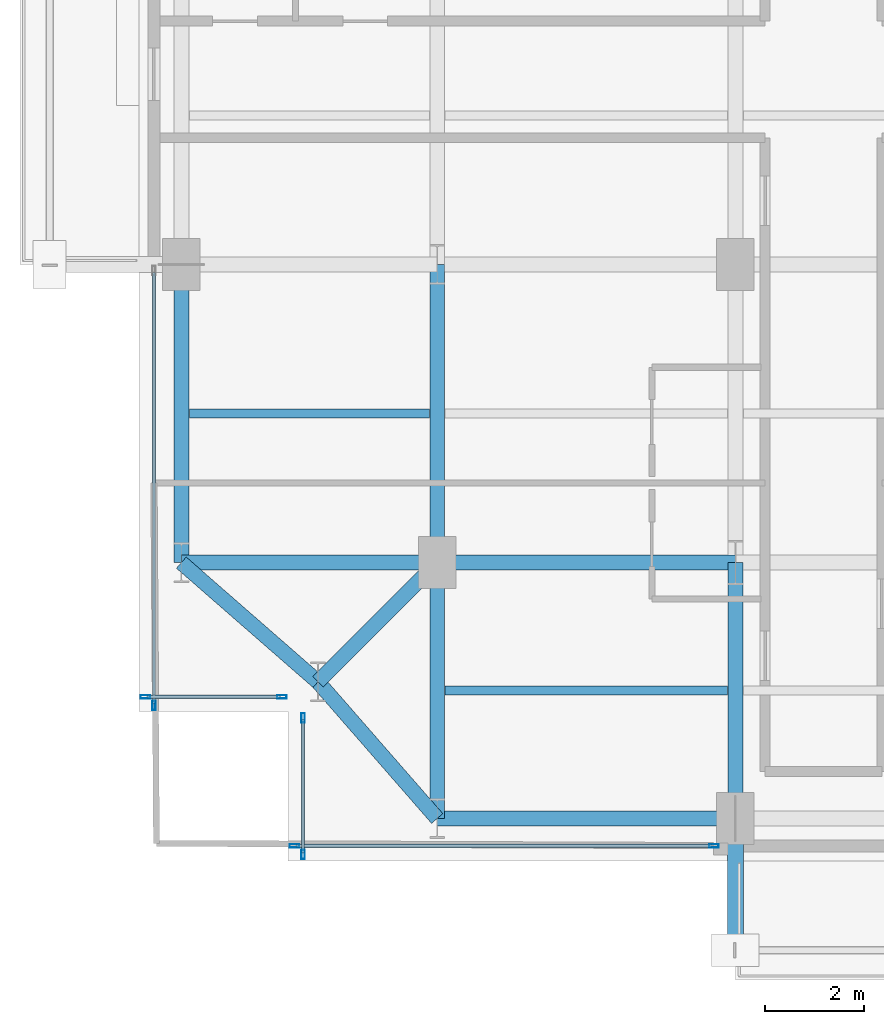
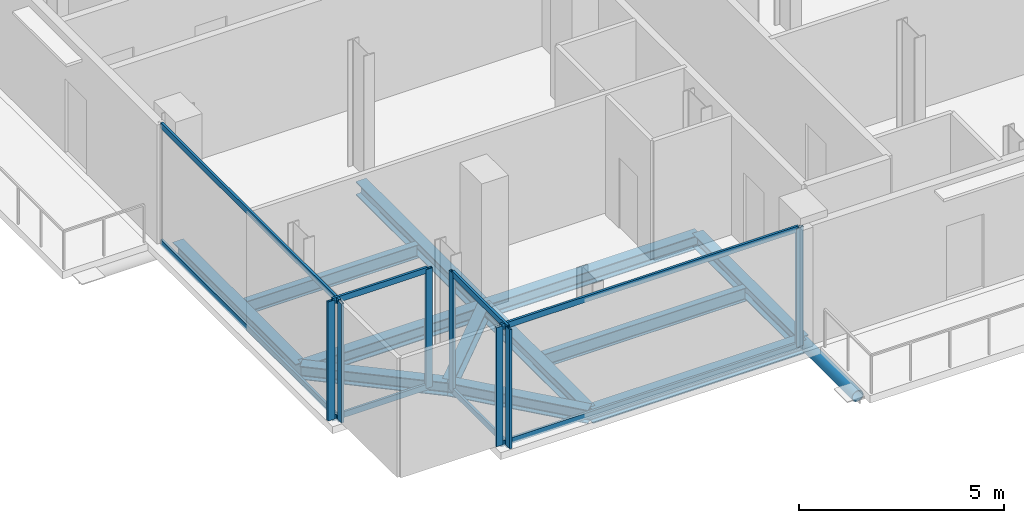
# One storey, part 2 of 21: 16 members, 12 beams, 4 elements without a shape of their own.
"""IFC4 building model written with IfcOpenShell, lengths in metres."""

from ifc_helpers import new_model, si_unit, direction, frame, origin, origin_2d, place, context, subcontext, project, spatial, hollow_rectangle, hollow_circle, i_section, extrude, material, layer, layer_set, material_profile, profile_set, type_object, element, aggregate, save


model = new_model("IFC4")

# Units and contexts
model_context = context("Model", 3, precision=1e-05, world=origin(), true_north=direction((0.0, 1.0)))
body_context = subcontext(model_context, "Body", "Model", "MODEL_VIEW")
ifc_project = project(units=[si_unit("LENGTHUNIT", "METRE"), si_unit("AREAUNIT", "SQUARE_METRE"), si_unit("VOLUMEUNIT", "CUBIC_METRE"), si_unit("PLANEANGLEUNIT", "RADIAN"), si_unit("MASSUNIT", "GRAM", prefix="KILO"), si_unit("THERMODYNAMICTEMPERATUREUNIT", "KELVIN"), si_unit("POWERUNIT", "WATT")], contexts=[model_context])

# Site, building, storey
site_placement = place(None, origin())
site = spatial("IfcSite", under=ifc_project, at=site_placement, CompositionType="ELEMENT")
building_placement = place(site_placement, origin())
building = spatial("IfcBuilding", under=site, at=building_placement, Name="Svarakhadi Broadcast Tower", CompositionType="ELEMENT")
storey_placement = place(building_placement, frame((0.0, 0.0, 208.64990234375)))
storey = spatial("IfcBuildingStorey", under=building, at=storey_placement, Name="L51", CompositionType="ELEMENT", Elevation=208.64990234375)

# Beams
ifc_material_1 = material(Name="Steel S355J2 (IS 2062 E350C)", Category="steel")
ifc_material_profile_1 = material_profile(ifc_material_1, i_section(OverallWidth=0.179931640625, OverallDepth=0.39990234375, WebThickness=0.008544921875, FlangeThickness=0.013427734375, FilletRadius=0.02099609375, at=origin_2d()), Name="NPB 400x180x66")
ifc_profile_set_1 = profile_set([ifc_material_profile_1], Name="Steel S355J2 (IS 2062 E350C)")
beam_type_1 = type_object("IfcBeamType", Name="Beam_NPB400", PredefinedType="BEAM", material=ifc_profile_set_1)
beam_1_placement = place(storey_placement, frame((1.010009765625, 9.0, -0.409912109375), z_axis=(1.0, 0.0, 0.0), x_axis=(0.0, 1.0, 0.0)))
element("IfcBeam", 1, at=beam_1_placement, inside=storey, type_object=beam_type_1, Name="L51 Secondary Composite Beam SB001", PredefinedType="BEAM", context=body_context, shape_type="SweptSolid", body=[
    extrude(i_section(OverallWidth=0.179931640625, OverallDepth=0.39990234375, WebThickness=0.008544921875, FlangeThickness=0.013427734375, FilletRadius=0.02099609375, at=origin_2d()), origin(), (0.0, 0.0, 1.0), 4.830078125),
])
beam_2_placement = place(storey_placement, frame((6.159912109375, 3.425048828125, -0.409912109375), z_axis=(1.0, 0.0, 0.0), x_axis=(0.0, 1.0, 0.0)))
element("IfcBeam", 2, at=beam_2_placement, inside=storey, type_object=beam_type_1, Name="L51 Secondary Composite Beam SB005", PredefinedType="BEAM", context=body_context, shape_type="SweptSolid", body=[
    extrude(i_section(OverallWidth=0.179931640625, OverallDepth=0.39990234375, WebThickness=0.008544921875, FlangeThickness=0.013427734375, FilletRadius=0.02099609375, at=origin_2d()), origin(), (0.0, 0.0, 1.0), 5.68017578125),
])

# Curtain wall, members
ifc_material_2 = material(Name="Anodised Bronze Aluminium AA 6063-T6", Category="aluminium")
ifc_layer = layer(ifc_material_2, 0.18994140625)
ifc_layer_set = layer_set([ifc_layer], Name="Anodised Bronze Aluminium AA 6063-T6")
curtain_wall_type = type_object("IfcCurtainWallType", Name="CW_Sys_04", PredefinedType="NOTDEFINED", material=ifc_layer_set)
curtain_wall_1_placement = place(storey_placement, origin())
curtain_wall_1 = element("IfcCurtainWall", 3, at=curtain_wall_1_placement, inside=storey, type_object=curtain_wall_type, Name="L51 Unitised Facade Curtain Wall 01", PredefinedType="NOTDEFINED")
ifc_material_profile_2 = material_profile(ifc_material_2, hollow_rectangle(XDim=0.070068359375, YDim=0.18994140625, WallThickness=0.005615234375, at=origin_2d()), Name="ALU MULLION 190x70x6")
ifc_profile_set_2 = profile_set([ifc_material_profile_2], Name="Anodised Bronze Aluminium AA 6063-T6")
member_type_1 = type_object("IfcMemberType", Name="CW_Sys_04_Mul", PredefinedType="MULLION", material=ifc_profile_set_2)
member_1_placement = place(storey_placement, frame((2.875, 3.300048828125, 0.0), z_axis=(0.0, 0.0, 1.0), x_axis=(0.0, -1.0, 0.0)))
member_1 = element("IfcMember", 4, at=member_1_placement, type_object=member_type_1, Name="CW-04 mullion 1", PredefinedType="MULLION", context=body_context, shape_type="SweptSolid", body=[
    extrude(hollow_rectangle(XDim=0.070068359375, YDim=0.18994140625, WallThickness=0.005615234375, at=origin_2d()), origin(), (0.0, 0.0, 1.0), 3.5400390625),
])
member_2_placement = place(storey_placement, frame((0.125, 3.300048828125, 0.0), z_axis=(0.0, 0.0, 1.0), x_axis=(0.0, -1.0, 0.0)))
member_2 = element("IfcMember", 5, at=member_2_placement, type_object=member_type_1, Name="CW-04 mullion 2", PredefinedType="MULLION", context=body_context, shape_type="SweptSolid", body=[
    extrude(hollow_rectangle(XDim=0.070068359375, YDim=0.18994140625, WallThickness=0.005615234375, at=origin_2d()), origin(), (0.0, 0.0, 1.0), 3.5400390625),
])

# Curtain wall, member
curtain_wall_2_placement = place(storey_placement, origin())
curtain_wall_2 = element("IfcCurtainWall", 6, at=curtain_wall_2_placement, inside=storey, type_object=curtain_wall_type, Name="L51 West Curtain Wall 02", PredefinedType="NOTDEFINED")
member_3_placement = place(storey_placement, frame((0.300048828125, 3.125, 0.0), z_axis=(0.0, 0.0, 1.0), x_axis=(-1.0, 0.0, 0.0)))
member_3 = element("IfcMember", 7, at=member_3_placement, type_object=member_type_1, Name="CW-04 mullion 1", PredefinedType="MULLION", context=body_context, shape_type="SweptSolid", body=[
    extrude(hollow_rectangle(XDim=0.070068359375, YDim=0.18994140625, WallThickness=0.005615234375, at=origin_2d()), origin(), (0.0, 0.0, 1.0), 3.5400390625),
])

# Curtain wall, members
curtain_wall_3_placement = place(storey_placement, origin())
curtain_wall_3 = element("IfcCurtainWall", 8, at=curtain_wall_3_placement, inside=storey, type_object=curtain_wall_type, Name="L51 South Curtain Wall 17", PredefinedType="NOTDEFINED")
member_4_placement = place(storey_placement, frame((11.570068359375, 0.300048828125, 0.0), z_axis=(0.0, 0.0, 1.0), x_axis=(0.0, -1.0, 0.0)))
member_4 = element("IfcMember", 9, at=member_4_placement, type_object=member_type_1, Name="CW-04 mullion 1", PredefinedType="MULLION", context=body_context, shape_type="SweptSolid", body=[
    extrude(hollow_rectangle(XDim=0.070068359375, YDim=0.18994140625, WallThickness=0.005615234375, at=origin_2d()), origin(), (0.0, 0.0, 1.0), 3.5400390625),
])
member_5_placement = place(storey_placement, frame((3.125, 0.300048828125, 0.0), z_axis=(0.0, 0.0, 1.0), x_axis=(0.0, -1.0, 0.0)))
member_5 = element("IfcMember", 10, at=member_5_placement, type_object=member_type_1, Name="CW-04 mullion 2", PredefinedType="MULLION", context=body_context, shape_type="SweptSolid", body=[
    extrude(hollow_rectangle(XDim=0.070068359375, YDim=0.18994140625, WallThickness=0.005615234375, at=origin_2d()), origin(), (0.0, 0.0, 1.0), 3.5400390625),
])

curtain_wall_4_placement = place(storey_placement, origin())
curtain_wall_4 = element("IfcCurtainWall", 11, at=curtain_wall_4_placement, inside=storey, type_object=curtain_wall_type, Name="L51 Unitised Facade Curtain Wall 18", PredefinedType="NOTDEFINED")
member_6_placement = place(storey_placement, frame((3.300048828125, 0.125, 0.0), z_axis=(0.0, 0.0, 1.0), x_axis=(-1.0, 0.0, 0.0)))
member_6 = element("IfcMember", 12, at=member_6_placement, type_object=member_type_1, Name="CW-04 mullion 1", PredefinedType="MULLION", context=body_context, shape_type="SweptSolid", body=[
    extrude(hollow_rectangle(XDim=0.070068359375, YDim=0.18994140625, WallThickness=0.005615234375, at=origin_2d()), origin(), (0.0, 0.0, 1.0), 3.5400390625),
])
member_7_placement = place(storey_placement, frame((3.300048828125, 2.875, 0.0), z_axis=(0.0, 0.0, 1.0), x_axis=(-1.0, 0.0, 0.0)))
member_7 = element("IfcMember", 13, at=member_7_placement, type_object=member_type_1, Name="CW-04 mullion 2", PredefinedType="MULLION", context=body_context, shape_type="SweptSolid", body=[
    extrude(hollow_rectangle(XDim=0.070068359375, YDim=0.18994140625, WallThickness=0.005615234375, at=origin_2d()), origin(), (0.0, 0.0, 1.0), 3.5400390625),
])

# Member
ifc_material_profile_3 = material_profile(ifc_material_2, hollow_rectangle(XDim=0.06494140625, YDim=0.175048828125, WallThickness=0.0048828125, at=origin_2d()), Name="ALU TRANSOM 175x65x5")
ifc_profile_set_3 = profile_set([ifc_material_profile_3], Name="Anodised Bronze Aluminium AA 6063-T6")
member_type_2 = type_object("IfcMemberType", Name="CW_Sys_04_Trn", PredefinedType="USERDEFINED", material=ifc_profile_set_3)
member_8_placement = place(storey_placement, frame((2.840087890625, 3.300048828125, 0.03271484375), z_axis=(-1.0, 0.0, 0.0), x_axis=(0.0, -1.0, 0.0)))
member_8 = element("IfcMember", 14, at=member_8_placement, type_object=member_type_2, Name="CW-04 transom 1.1", ObjectType="TRANSOM", PredefinedType="USERDEFINED", context=body_context, shape_type="SweptSolid", body=[
    extrude(hollow_rectangle(XDim=0.06494140625, YDim=0.175048828125, WallThickness=0.0048828125, at=origin_2d()), origin(), (0.0, 0.0, 1.0), 2.68017578125),
])

member_9_placement = place(storey_placement, frame((2.840087890625, 3.300048828125, 3.507568359375), z_axis=(-1.0, 0.0, 0.0), x_axis=(0.0, -1.0, 0.0)))
member_9 = element("IfcMember", 15, at=member_9_placement, type_object=member_type_2, Name="CW-04 transom 1.2", ObjectType="TRANSOM", PredefinedType="USERDEFINED", context=body_context, shape_type="SweptSolid", body=[
    extrude(hollow_rectangle(XDim=0.06494140625, YDim=0.175048828125, WallThickness=0.0048828125, at=origin_2d()), origin(), (0.0, 0.0, 1.0), 2.68017578125),
])

aggregate(curtain_wall_1, [member_1, member_2, member_8, member_9])

member_10_placement = place(storey_placement, frame((0.300048828125, 3.159912109375, 0.03271484375), z_axis=(0.0, 1.0, 0.0), x_axis=(-1.0, 0.0, 0.0)))
member_10 = element("IfcMember", 16, at=member_10_placement, type_object=member_type_2, Name="CW-04 transom 1.1", ObjectType="TRANSOM", PredefinedType="USERDEFINED", context=body_context, shape_type="SweptSolid", body=[
    extrude(hollow_rectangle(XDim=0.06494140625, YDim=0.175048828125, WallThickness=0.0048828125, at=origin_2d()), origin(), (0.0, 0.0, 1.0), 8.68017578125),
])

member_11_placement = place(storey_placement, frame((0.300048828125, 3.159912109375, 3.507568359375), z_axis=(0.0, 1.0, 0.0), x_axis=(-1.0, 0.0, 0.0)))
member_11 = element("IfcMember", 17, at=member_11_placement, type_object=member_type_2, Name="CW-04 transom 1.2", ObjectType="TRANSOM", PredefinedType="USERDEFINED", context=body_context, shape_type="SweptSolid", body=[
    extrude(hollow_rectangle(XDim=0.06494140625, YDim=0.175048828125, WallThickness=0.0048828125, at=origin_2d()), origin(), (0.0, 0.0, 1.0), 8.68017578125),
])

aggregate(curtain_wall_2, [member_3, member_10, member_11])

member_12_placement = place(storey_placement, frame((11.534912109375, 0.300048828125, 0.03271484375), z_axis=(-1.0, 0.0, 0.0), x_axis=(0.0, -1.0, 0.0)))
member_12 = element("IfcMember", 18, at=member_12_placement, type_object=member_type_2, Name="CW-04 transom 1.1", ObjectType="TRANSOM", PredefinedType="USERDEFINED", context=body_context, shape_type="SweptSolid", body=[
    extrude(hollow_rectangle(XDim=0.06494140625, YDim=0.175048828125, WallThickness=0.0048828125, at=origin_2d()), origin(), (0.0, 0.0, 1.0), 8.375),
])

member_13_placement = place(storey_placement, frame((11.534912109375, 0.300048828125, 3.507568359375), z_axis=(-1.0, 0.0, 0.0), x_axis=(0.0, -1.0, 0.0)))
member_13 = element("IfcMember", 19, at=member_13_placement, type_object=member_type_2, Name="CW-04 transom 1.2", ObjectType="TRANSOM", PredefinedType="USERDEFINED", context=body_context, shape_type="SweptSolid", body=[
    extrude(hollow_rectangle(XDim=0.06494140625, YDim=0.175048828125, WallThickness=0.0048828125, at=origin_2d()), origin(), (0.0, 0.0, 1.0), 8.375),
])

aggregate(curtain_wall_3, [member_4, member_5, member_12, member_13])

member_14_placement = place(storey_placement, frame((3.300048828125, 0.159912109375, 0.03271484375), z_axis=(0.0, 1.0, 0.0), x_axis=(-1.0, 0.0, 0.0)))
member_14 = element("IfcMember", 20, at=member_14_placement, type_object=member_type_2, Name="CW-04 transom 1.1", ObjectType="TRANSOM", PredefinedType="USERDEFINED", context=body_context, shape_type="SweptSolid", body=[
    extrude(hollow_rectangle(XDim=0.06494140625, YDim=0.175048828125, WallThickness=0.0048828125, at=origin_2d()), origin(), (0.0, 0.0, 1.0), 2.68017578125),
])

member_15_placement = place(storey_placement, frame((3.300048828125, 0.159912109375, 3.507568359375), z_axis=(0.0, 1.0, 0.0), x_axis=(-1.0, 0.0, 0.0)))
member_15 = element("IfcMember", 21, at=member_15_placement, type_object=member_type_2, Name="CW-04 transom 1.2", ObjectType="TRANSOM", PredefinedType="USERDEFINED", context=body_context, shape_type="SweptSolid", body=[
    extrude(hollow_rectangle(XDim=0.06494140625, YDim=0.175048828125, WallThickness=0.0048828125, at=origin_2d()), origin(), (0.0, 0.0, 1.0), 2.68017578125),
])

aggregate(curtain_wall_4, [member_6, member_7, member_14, member_15])

ifc_material_3 = material(Name="Steel S460ML (IS 2062 E450BR)", Category="steel")
ifc_material_profile_4 = material_profile(ifc_material_3, hollow_circle(Radius=0.161865234375, WallThickness=0.01611328125, at=origin_2d()), Name="CHS 323.9x16")
ifc_profile_set_4 = profile_set([ifc_material_profile_4], Name="Steel S460ML (IS 2062 E450BR)")
member_type_3 = type_object("IfcMemberType", Name="Exo_Radial_Strut_Z2", PredefinedType="STRUT", material=ifc_profile_set_4)
member_16_placement = place(storey_placement, frame((12.0, -1.800048828125, -0.371826171875), z_axis=(0.0, 1.0, 0.0), x_axis=(-1.0, 0.0, 0.0)))
element("IfcMember", 22, at=member_16_placement, inside=storey, type_object=member_type_3, Name="L51 Exoskeleton Radial Tie Strut S01", PredefinedType="STRUT", context=body_context, shape_type="SweptSolid", body=[
    extrude(hollow_circle(Radius=0.161865234375, WallThickness=0.01611328125, at=origin_2d()), origin(), (0.0, 0.0, 1.0), 2.650146484375),
])

# Beams
ifc_material_profile_5 = material_profile(ifc_material_1, i_section(OverallWidth=0.300048828125, OverallDepth=0.39990234375, WebThickness=0.013427734375, FlangeThickness=0.02392578125, FilletRadius=0.027099609375, at=origin_2d()), Name="WPB 400x300x155")
ifc_profile_set_5 = profile_set([ifc_material_profile_5], Name="Steel S355J2 (IS 2062 E350C)")
beam_type_2 = type_object("IfcBeamType", Name="Girder_WPB400", PredefinedType="USERDEFINED", material=ifc_profile_set_5)
beam_3_placement = place(storey_placement, frame((3.60009765625, 3.60009765625, -0.409912109375), z_axis=(0.707106781187, 0.707106781187, 0.0), x_axis=(-0.707106781187, 0.707106781187, 0.0)))
element("IfcBeam", 23, at=beam_3_placement, inside=storey, type_object=beam_type_2, Name="L51 Corner Tie Girder G001", ObjectType="GIRDER", PredefinedType="USERDEFINED", context=body_context, shape_type="SweptSolid", body=[
    extrude(i_section(OverallWidth=0.300048828125, OverallDepth=0.39990234375, WebThickness=0.013427734375, FlangeThickness=0.02392578125, FilletRadius=0.027099609375, at=origin_2d()), origin(), (0.0, 0.0, 1.0), 3.39404296875),
])
for number, where, z_axis, x_axis, name in (
    (24, (3.60009765625, 3.60009765625, -0.409912109375), (-0.753437912176, 0.657519058655, 0.0), (-0.657519058655, -0.753437912176, 0.0), "L51 Corner Tie Girder G002"),
    (25, (3.60009765625, 3.60009765625, -0.409912109375), (0.657519058655, -0.753437912176, 0.0), (0.753437912176, 0.657519058655, 0.0), "L51 Corner Tie Girder G003"),
):
    element("IfcBeam", number, at=place(storey_placement, frame(where, z_axis=z_axis, x_axis=x_axis)), inside=storey, type_object=beam_type_2, Name=name, ObjectType="GIRDER", PredefinedType="USERDEFINED", context=body_context, shape_type="SweptSolid", body=[
        extrude(i_section(OverallWidth=0.300048828125, OverallDepth=0.39990234375, WebThickness=0.013427734375, FlangeThickness=0.02392578125, FilletRadius=0.027099609375, at=origin_2d()), origin(), (0.0, 0.0, 1.0), 3.64990234375),
    ])
beam_4_placement = place(storey_placement, frame((6.0, 0.85009765625, -0.409912109375), z_axis=(1.0, 0.0, 0.0), x_axis=(0.0, 1.0, 0.0)))
element("IfcBeam", 26, at=beam_4_placement, inside=storey, type_object=beam_type_2, Name="L51 Primary E-W Girder G004", ObjectType="GIRDER", PredefinedType="USERDEFINED", context=body_context, shape_type="SweptSolid", body=[
    extrude(i_section(OverallWidth=0.300048828125, OverallDepth=0.39990234375, WebThickness=0.013427734375, FlangeThickness=0.02392578125, FilletRadius=0.027099609375, at=origin_2d()), origin(), (0.0, 0.0, 1.0), 6.0),
])
beam_5_placement = place(storey_placement, frame((0.85009765625, 6.0, -0.409912109375), z_axis=(1.0, 0.0, 0.0), x_axis=(0.0, 1.0, 0.0)))
element("IfcBeam", 27, at=beam_5_placement, inside=storey, type_object=beam_type_2, Name="L51 Primary E-W Girder G009", ObjectType="GIRDER", PredefinedType="USERDEFINED", context=body_context, shape_type="SweptSolid", body=[
    extrude(i_section(OverallWidth=0.300048828125, OverallDepth=0.39990234375, WebThickness=0.013427734375, FlangeThickness=0.02392578125, FilletRadius=0.027099609375, at=origin_2d()), origin(), (0.0, 0.0, 1.0), 5.14990234375),
])
for number, where, z_axis, x_axis, name in (
    (28, (6.0, 6.0, -0.409912109375), (1.0, 0.0, 0.0), (0.0, 1.0, 0.0), "L51 Primary E-W Girder G010"),
    (29, (0.85009765625, 6.0, -0.409912109375), (0.0, 1.0, 0.0), (-1.0, 0.0, 0.0), "L51 Primary N-S Girder G033"),
):
    element("IfcBeam", number, at=place(storey_placement, frame(where, z_axis=z_axis, x_axis=x_axis)), inside=storey, type_object=beam_type_2, Name=name, ObjectType="GIRDER", PredefinedType="USERDEFINED", context=body_context, shape_type="SweptSolid", body=[
        extrude(i_section(OverallWidth=0.300048828125, OverallDepth=0.39990234375, WebThickness=0.013427734375, FlangeThickness=0.02392578125, FilletRadius=0.027099609375, at=origin_2d()), origin(), (0.0, 0.0, 1.0), 6.0),
    ])
beam_6_placement = place(storey_placement, frame((6.0, 0.85009765625, -0.409912109375), z_axis=(0.0, 1.0, 0.0), x_axis=(-1.0, 0.0, 0.0)))
element("IfcBeam", 30, at=beam_6_placement, inside=storey, type_object=beam_type_2, Name="L51 Primary N-S Girder G037", ObjectType="GIRDER", PredefinedType="USERDEFINED", context=body_context, shape_type="SweptSolid", body=[
    extrude(i_section(OverallWidth=0.300048828125, OverallDepth=0.39990234375, WebThickness=0.013427734375, FlangeThickness=0.02392578125, FilletRadius=0.027099609375, at=origin_2d()), origin(), (0.0, 0.0, 1.0), 5.14990234375),
])
beam_7_placement = place(storey_placement, frame((6.0, 6.0, -0.409912109375), z_axis=(0.0, 1.0, 0.0), x_axis=(-1.0, 0.0, 0.0)))
element("IfcBeam", 31, at=beam_7_placement, inside=storey, type_object=beam_type_2, Name="L51 Primary N-S Girder G038", ObjectType="GIRDER", PredefinedType="USERDEFINED", context=body_context, shape_type="SweptSolid", body=[
    extrude(i_section(OverallWidth=0.300048828125, OverallDepth=0.39990234375, WebThickness=0.013427734375, FlangeThickness=0.02392578125, FilletRadius=0.027099609375, at=origin_2d()), origin(), (0.0, 0.0, 1.0), 6.0),
])
beam_8_placement = place(storey_placement, frame((12.0, 0.85009765625, -0.409912109375), z_axis=(0.0, 1.0, 0.0), x_axis=(-1.0, 0.0, 0.0)))
element("IfcBeam", 32, at=beam_8_placement, inside=storey, type_object=beam_type_2, Name="L51 Primary N-S Girder G042", ObjectType="GIRDER", PredefinedType="USERDEFINED", context=body_context, shape_type="SweptSolid", body=[
    extrude(i_section(OverallWidth=0.300048828125, OverallDepth=0.39990234375, WebThickness=0.013427734375, FlangeThickness=0.02392578125, FilletRadius=0.027099609375, at=origin_2d()), origin(), (0.0, 0.0, 1.0), 5.14990234375),
])

save(model, "model.ifc")
